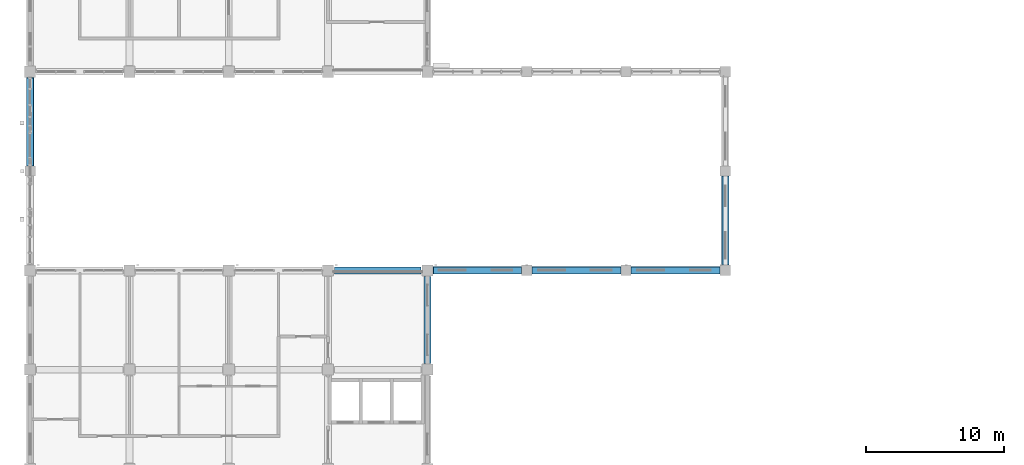
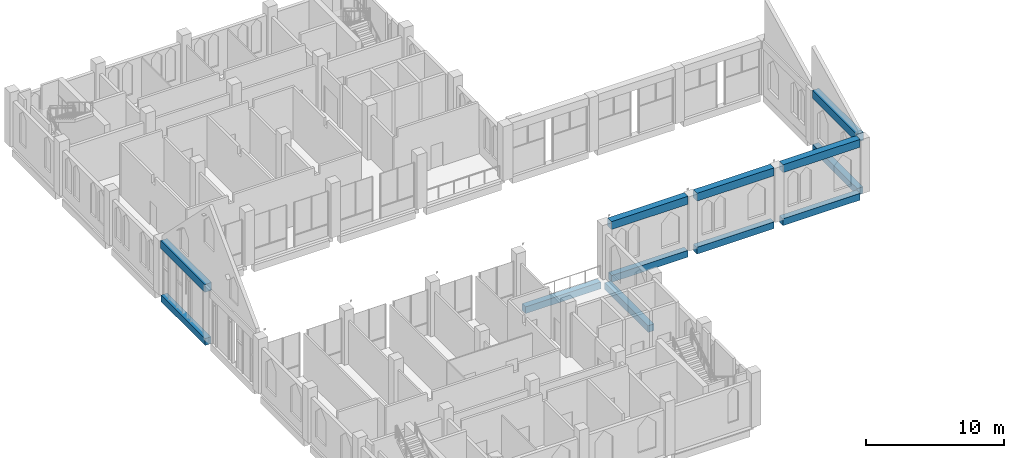
# One storey, part 6 of 31: 12 beams.
"""IFC4 building model written with IfcOpenShell, lengths in metres."""

from ifc_helpers import new_model, si_unit, direction, frame, origin, origin_2d, place, context, subcontext, project, spatial, rectangle, extrude, material, material_profile, profile_set, type_object, element, save


model = new_model("IFC4")

# Units and contexts
model_context = context("Model", 3, precision=1e-05, world=origin(), true_north=direction((0.0, 1.0)))
body_context = subcontext(model_context, "Body", "Model", "MODEL_VIEW")
ifc_project = project(units=[si_unit("LENGTHUNIT", "METRE"), si_unit("AREAUNIT", "SQUARE_METRE"), si_unit("VOLUMEUNIT", "CUBIC_METRE"), si_unit("PLANEANGLEUNIT", "RADIAN"), si_unit("MASSUNIT", "GRAM", prefix="KILO")], contexts=[model_context])

# Site, building, storey
site_placement = place(None, origin())
site = spatial("IfcSite", under=ifc_project, at=site_placement, CompositionType="ELEMENT")
building_placement = place(site_placement, origin())
building = spatial("IfcBuilding", under=site, at=building_placement, Name="Silangan Lancet Faculty of Sciences", CompositionType="ELEMENT")
storey_placement = place(building_placement, frame((0.0, 0.0, 36.0)))
storey = spatial("IfcBuildingStorey", under=building, at=storey_placement, Name="L07", CompositionType="ELEMENT", Elevation=36.0)

# Beams
ifc_material_1 = material(Name="Concrete C40/50", Category="concrete")
ifc_material_profile_1 = material_profile(ifc_material_1, rectangle(XDim=0.5, YDim=0.60009765625, at=origin_2d()), Name="RC 500x600")
ifc_profile_set_1 = profile_set([ifc_material_profile_1], Name="Concrete C40/50")
beam_type_1 = type_object("IfcBeamType", Name="BEAM RC 500x600", PredefinedType="BEAM", material=ifc_profile_set_1)
beam_1_placement = place(storey_placement, frame((22.050048828125, 21.60009765625, -0.550048828125), z_axis=(1.0, 0.0, 0.0), x_axis=(0.0, 1.0, 0.0)))
element("IfcBeam", 1, at=beam_1_placement, inside=storey, type_object=beam_type_1, Name="BM-L07-4D-5D", PredefinedType="BEAM", context=body_context, shape_type="SweptSolid", body=[
    extrude(rectangle(XDim=0.5, YDim=0.60009765625, at=origin_2d()), origin(), (0.0, 0.0, 1.0), 6.300048828125),
])
beam_2_placement = place(storey_placement, frame((29.25, 21.60009765625, -0.300048828125), z_axis=(1.0, 0.0, 0.0), x_axis=(0.0, 1.0, 0.0)))
element("IfcBeam", 2, at=beam_2_placement, inside=storey, type_object=beam_type_1, Name="BM-L07-5D-6D", PredefinedType="BEAM", context=body_context, shape_type="SweptSolid", body=[
    extrude(rectangle(XDim=0.5, YDim=0.60009765625, at=origin_2d()), origin(), (0.0, 0.0, 1.0), 6.375),
])
for number, where, z_axis, x_axis, name in (
    (3, (36.375, 21.60009765625, -0.300048828125), (1.0, 0.0, 0.0), (0.0, 1.0, 0.0), "BM-L07-6D-7D"),
    (4, (43.574951171875, 21.60009765625, -0.300048828125), (1.0, 0.0, 0.0), (0.0, 1.0, 0.0), "BM-L07-7D-8D"),
):
    element("IfcBeam", number, at=place(storey_placement, frame(where, z_axis=z_axis, x_axis=x_axis)), inside=storey, type_object=beam_type_1, Name=name, PredefinedType="BEAM", context=body_context, shape_type="SweptSolid", body=[
        extrude(rectangle(XDim=0.5, YDim=0.60009765625, at=origin_2d()), origin(), (0.0, 0.0, 1.0), 6.449951171875),
    ])
beam_3_placement = place(storey_placement, frame((0.0, 29.175048828125, -0.300048828125), z_axis=(0.0, 1.0, 0.0), x_axis=(-1.0, 0.0, 0.0)))
element("IfcBeam", 5, at=beam_3_placement, inside=storey, type_object=beam_type_1, Name="BM-L07-1E-1F", PredefinedType="BEAM", context=body_context, shape_type="SweptSolid", body=[
    extrude(rectangle(XDim=0.5, YDim=0.60009765625, at=origin_2d()), origin(), (0.0, 0.0, 1.0), 6.375),
])
beam_4_placement = place(storey_placement, frame((28.800048828125, 14.85009765625, -0.550048828125), z_axis=(0.0, 1.0, 0.0), x_axis=(-1.0, 0.0, 0.0)))
element("IfcBeam", 6, at=beam_4_placement, inside=storey, type_object=beam_type_1, Name="BM-L07-5C-5D", PredefinedType="BEAM", context=body_context, shape_type="SweptSolid", body=[
    extrude(rectangle(XDim=0.5, YDim=0.60009765625, at=origin_2d()), origin(), (0.0, 0.0, 1.0), 6.2998046875),
])
beam_5_placement = place(storey_placement, frame((50.39990234375, 21.97509765625, -0.300048828125), z_axis=(0.0, 1.0, 0.0), x_axis=(-1.0, 0.0, 0.0)))
element("IfcBeam", 7, at=beam_5_placement, inside=storey, type_object=beam_type_1, Name="BM-L07-8D-8E", PredefinedType="BEAM", context=body_context, shape_type="SweptSolid", body=[
    extrude(rectangle(XDim=0.5, YDim=0.60009765625, at=origin_2d()), origin(), (0.0, 0.0, 1.0), 6.449951171875),
])
ifc_material_2 = material(Name="Concrete C40/50", Category="concrete")
ifc_material_profile_2 = material_profile(ifc_material_2, rectangle(XDim=0.550048828125, YDim=0.699951171875, at=origin_2d()), Name="RC 550x700")
ifc_profile_set_2 = profile_set([ifc_material_profile_2], Name="Concrete C40/50")
beam_type_2 = type_object("IfcBeamType", Name="BEAM RC 550x700", PredefinedType="BEAM", material=ifc_profile_set_2)
beam_6_placement = place(storey_placement, frame((50.39990234375, 21.97509765625, 4.449951171875), z_axis=(0.0, 1.0, 0.0), x_axis=(-1.0, 0.0, 0.0)))
element("IfcBeam", 8, at=beam_6_placement, inside=storey, type_object=beam_type_2, Name="RB-L07-8D-8E", PredefinedType="BEAM", context=body_context, shape_type="SweptSolid", body=[
    extrude(rectangle(XDim=0.550048828125, YDim=0.699951171875, at=origin_2d()), origin(), (0.0, 0.0, 1.0), 6.449951171875),
])
for number, where, z_axis, x_axis, name in (
    (9, (0.0, 29.175048828125, 4.449951171875), (0.0, 1.0, 0.0), (-1.0, 0.0, 0.0), "RB-L07-1E-1F"),
    (10, (29.199951171875, 21.60009765625, 4.449951171875), (1.0, 0.0, 0.0), (0.0, 1.0, 0.0), "RB-L07-5D-6D"),
):
    element("IfcBeam", number, at=place(storey_placement, frame(where, z_axis=z_axis, x_axis=x_axis)), inside=storey, type_object=beam_type_2, Name=name, PredefinedType="BEAM", context=body_context, shape_type="SweptSolid", body=[
        extrude(rectangle(XDim=0.550048828125, YDim=0.699951171875, at=origin_2d()), origin(), (0.0, 0.0, 1.0), 6.425048828125),
    ])
for number, where, z_axis, x_axis, name in (
    (11, (36.375, 21.60009765625, 4.449951171875), (1.0, 0.0, 0.0), (0.0, 1.0, 0.0), "RB-L07-6D-7D"),
    (12, (43.574951171875, 21.60009765625, 4.449951171875), (1.0, 0.0, 0.0), (0.0, 1.0, 0.0), "RB-L07-7D-8D"),
):
    element("IfcBeam", number, at=place(storey_placement, frame(where, z_axis=z_axis, x_axis=x_axis)), inside=storey, type_object=beam_type_2, Name=name, PredefinedType="BEAM", context=body_context, shape_type="SweptSolid", body=[
        extrude(rectangle(XDim=0.550048828125, YDim=0.699951171875, at=origin_2d()), origin(), (0.0, 0.0, 1.0), 6.449951171875),
    ])

save(model, "model.ifc")
